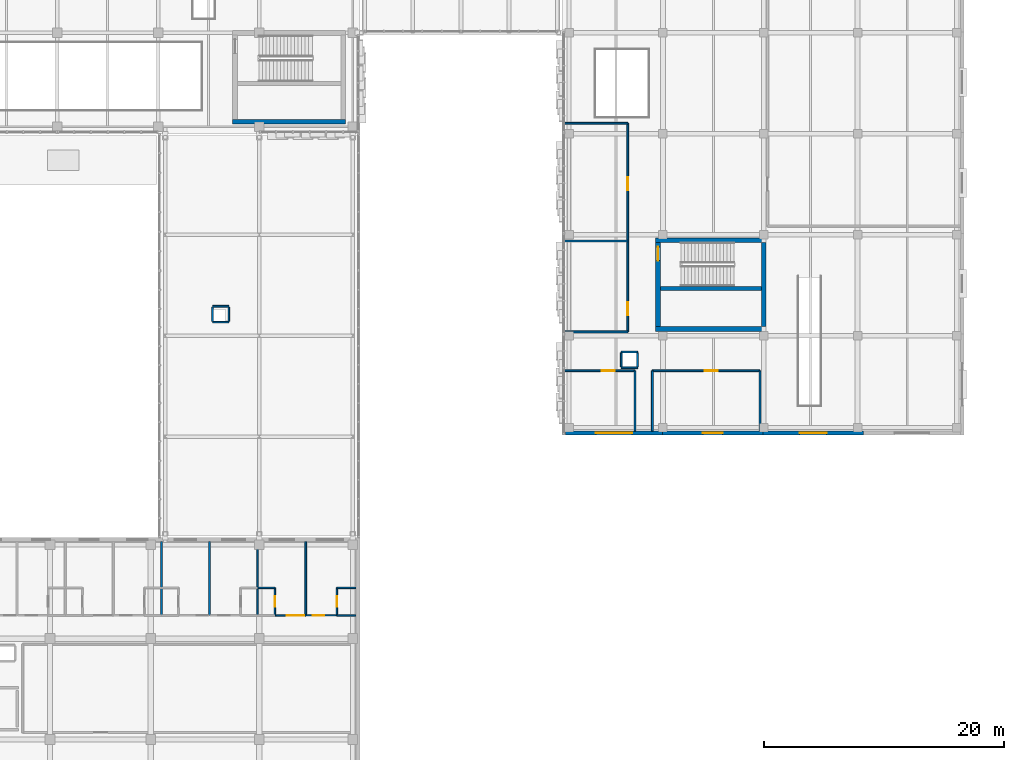
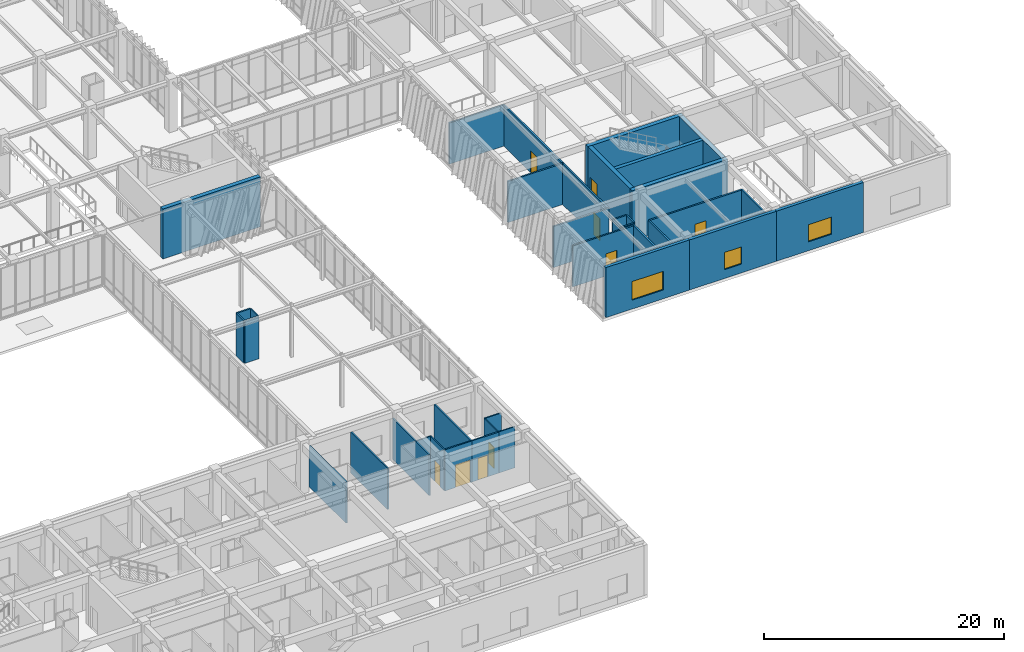
# One storey, part 110 of 139: 38 walls, 9 doors, 3 windows, 12 openings.
"""IFC4 building model written with IfcOpenShell, lengths in metres."""

import ifcopenshell
import ifcopenshell.guid

model = None  # the IFC model being written
_history = None  # IfcOwnerHistory: only IFC2X3 demands one
_inside = {}  # id of a spatial element -> (the spatial element, [elements in it])
_under = {}  # id of a project, library or spatial element -> (it, [spatial elements below it])
_declared = {}  # id of a project -> (the project, [libraries it declares])
_typed = {}  # id of a type object -> (the type object, [elements of that type])
_made_of = {}  # id of a material, layer set ... -> (it, [elements and type objects made of it])


def new_model(schema):
    """Start an empty IFC model of exactly this schema.

    Asked for "IFC4X3", IfcOpenShell would pick the latest addendum, in which some entities
    have other attributes; the version numbers below select the first issue.
    IFC2X3 requires an IfcOwnerHistory on every rooted entity: one is made here for all.
    """
    global model, _history
    if schema == "IFC4X3":
        model = ifcopenshell.file(schema_version=(4, 3, 0, 0))
    else:
        model = ifcopenshell.file(schema=schema)
    _inside.clear()
    _under.clear()
    _declared.clear()
    _typed.clear()
    _made_of.clear()
    _history = None
    if model.schema == "IFC2X3":
        org = make("IfcOrganization", Name="unknown")
        user = make(
            "IfcPersonAndOrganization",
            ThePerson=make("IfcPerson", FamilyName="unknown"),
            TheOrganization=org,
        )
        app = make(
            "IfcApplication",
            ApplicationDeveloper=org,
            Version="unknown",
            ApplicationFullName="unknown",
            ApplicationIdentifier="unknown",
        )
        _history = make(
            "IfcOwnerHistory",
            OwningUser=user,
            OwningApplication=app,
            ChangeAction="ADDED",
            CreationDate=0,
        )
    return model


def make(cls, **values):
    """One entity of the class cls with the attributes given. An attribute that is None is left unset."""
    return model.create_entity(
        cls, **{name: value for name, value in values.items() if value is not None}
    )


def rooted(cls, **values):
    """An entity with a GlobalId (a new one), such as an element, a storey or a relation."""
    return make(cls, GlobalId=ifcopenshell.guid.new(), OwnerHistory=_history, **values)


def si_unit(unit_type, name, prefix=None):
    """IfcSIUnit, for example si_unit("LENGTHUNIT", "METRE", prefix="MILLI")."""
    return make("IfcSIUnit", UnitType=unit_type, Prefix=prefix, Name=name)


def assignment(units):
    """IfcUnitAssignment: the units of a project."""
    return None if units is None else make("IfcUnitAssignment", Units=units)


def point(xyz):
    """IfcCartesianPoint."""
    return None if xyz is None else make("IfcCartesianPoint", Coordinates=xyz)


def direction(xyz):
    """IfcDirection."""
    return None if xyz is None else make("IfcDirection", DirectionRatios=xyz)


def frame(location, z_axis=None, x_axis=None):
    """IfcAxis2Placement3D, a coordinate frame: its origin and axes. An axis left out is left unset."""
    return make(
        "IfcAxis2Placement3D",
        Location=point(location),
        Axis=direction(z_axis),
        RefDirection=direction(x_axis),
    )


def frame_2d(location, x_axis=None):
    """IfcAxis2Placement2D, a coordinate frame in the plane: its origin and x axis."""
    return make(
        "IfcAxis2Placement2D", Location=point(location), RefDirection=direction(x_axis)
    )


def origin():
    """The frame at (0, 0, 0) with its axes left unset."""
    return frame((0.0, 0.0, 0.0))


def place(relative_to, where):
    """IfcLocalPlacement: puts the frame where relative to a parent placement (None: the world)."""
    return make(
        "IfcLocalPlacement", PlacementRelTo=relative_to, RelativePlacement=where
    )


def context(
    kind, dimensions, precision=None, world=None, true_north=None, identifier=None
):
    """IfcGeometricRepresentationContext, for example the 3D "Model" context."""
    return make(
        "IfcGeometricRepresentationContext",
        ContextIdentifier=identifier,
        ContextType=kind,
        CoordinateSpaceDimension=dimensions,
        Precision=precision,
        WorldCoordinateSystem=world,
        TrueNorth=true_north,
    )


def subcontext(parent, identifier, kind, view, scale=None):
    """IfcGeometricRepresentationSubContext, for example "Body" below "Model"."""
    return make(
        "IfcGeometricRepresentationSubContext",
        ContextIdentifier=identifier,
        ContextType=kind,
        ParentContext=parent,
        TargetScale=scale,
        TargetView=view,
    )


def project(units=None, contexts=None):
    """IfcProject with its units and contexts."""
    return rooted(
        "IfcProject",
        Name="project",
        RepresentationContexts=contexts,
        UnitsInContext=assignment(units),
    )


def spatial(cls, under=None, at=None, **own):
    """A site, building, storey or space (cls), placed at a placement, below another one or the project."""
    s = rooted(cls, ObjectPlacement=at, **own)
    if under is not None:
        _under.setdefault(under.id(), (under, []))[1].append(s)
    return s


def profile(cls, at=None, kind="AREA", **sizes):
    """A parametric profile (cls). Its sizes go by their IFC names, for example OverallWidth=200.0."""
    return make(cls, ProfileType=kind, Position=at, **sizes)


def rectangle(**sizes):
    """IfcRectangleProfileDef."""
    return profile("IfcRectangleProfileDef", **sizes)


def extrude(swept, where, along, depth):
    """IfcExtrudedAreaSolid: the profile swept, set in the frame where, extruded along a direction by depth."""
    return make(
        "IfcExtrudedAreaSolid",
        SweptArea=swept,
        Position=where,
        ExtrudedDirection=direction(along),
        Depth=depth,
    )


def shape(context_of_items, identifier, shape_type, items):
    """IfcShapeRepresentation: the items that make up one representation, for example the "Body"."""
    return make(
        "IfcShapeRepresentation",
        ContextOfItems=context_of_items,
        RepresentationIdentifier=identifier,
        RepresentationType=shape_type,
        Items=items,
    )


def material(Name=None, Category=None):
    """IfcMaterial."""
    return make("IfcMaterial", Name=Name, Category=Category)


def layer(
    of_material, thickness, ventilated=None, Name=None, Category=None, Priority=None
):
    """IfcMaterialLayer: one layer of a wall or slab, of a material (None: an air gap)."""
    return make(
        "IfcMaterialLayer",
        Material=of_material,
        LayerThickness=thickness,
        IsVentilated=ventilated,
        Name=Name,
        Category=Category,
        Priority=Priority,
    )


def layer_set(layers, Name=None):
    """IfcMaterialLayerSet."""
    return make("IfcMaterialLayerSet", MaterialLayers=layers, LayerSetName=Name)


def made_of(thing, what):
    """Note that an element or type object is made of a material, layer set ...; save() writes the relation."""
    if what is not None:
        _made_of.setdefault(what.id(), (what, []))[1].append(thing)
    return thing


def type_object(cls, material=None, **own):
    """A type object (cls), such as IfcWallType, which elements share."""
    return made_of(rooted(cls, **own), material)


def element(
    cls,
    number,
    at=None,
    inside=None,
    cuts=None,
    type_object=None,
    material=None,
    context=None,
    identifier="Body",
    shape_type=None,
    held_by="IfcProductDefinitionShape",
    body=None,
    shapes=None,
    **own,
):
    """One element of the class cls, such as IfcWall. Its Tag is "e" and its number.

    at: its placement. inside: the storey or other place that contains it. cuts: it is an
    opening in that element (IfcRelVoidsElement). A single representation is given by context,
    identifier, shape_type and body (its items); several are given by shapes. held_by: the class
    of the entity that holds the representations. save() writes the other relations.
    """
    e = rooted(cls, Tag="e%d" % number, ObjectPlacement=at, **own)
    if body is not None:
        shapes = [shape(context, identifier, shape_type, body)]
    if shapes is not None:
        e.Representation = make(held_by, Representations=shapes)
    if inside is not None:
        _inside.setdefault(inside.id(), (inside, []))[1].append(e)
    if cuts is not None:
        rooted(
            "IfcRelVoidsElement", RelatingBuildingElement=cuts, RelatedOpeningElement=e
        )
    if type_object is not None:
        _typed.setdefault(type_object.id(), (type_object, []))[1].append(e)
    return made_of(e, material)


def fill(opening, filler):
    """IfcRelFillsElement: the door or window that sits in an opening."""
    return rooted(
        "IfcRelFillsElement",
        RelatingOpeningElement=opening,
        RelatedBuildingElement=filler,
    )


def aggregate(whole, parts):
    """IfcRelAggregates: a whole, such as a stair, and the parts it consists of."""
    return rooted("IfcRelAggregates", RelatingObject=whole, RelatedObjects=parts)


def save(model, path):
    """Write the relations noted so far, then the file.

    IfcRelAggregates (storeys below a building ...), IfcRelContainedInSpatialStructure (elements
    in a storey), IfcRelDefinesByType, IfcRelAssociatesMaterial and IfcRelDeclares: one each for
    every whole, place, type object, material and project.
    """
    for whole, parts in _under.values():
        aggregate(whole, parts)
    for where, things in _inside.values():
        rooted(
            "IfcRelContainedInSpatialStructure",
            RelatedElements=things,
            RelatingStructure=where,
        )
    for kind, things in _typed.values():
        rooted("IfcRelDefinesByType", RelatedObjects=things, RelatingType=kind)
    for what, things in _made_of.values():
        rooted("IfcRelAssociatesMaterial", RelatedObjects=things, RelatingMaterial=what)
    for by, libraries in _declared.values():
        rooted("IfcRelDeclares", RelatingContext=by, RelatedDefinitions=libraries)
    model.write(path)


model = new_model("IFC4")

# Units and contexts
model_context = context("Model", 3, precision=1e-05, world=origin(), true_north=direction((0.0, 1.0)))
body_context = subcontext(model_context, "Body", "Model", "MODEL_VIEW")
ifc_project = project(units=[si_unit("LENGTHUNIT", "METRE"), si_unit("AREAUNIT", "SQUARE_METRE"), si_unit("VOLUMEUNIT", "CUBIC_METRE"), si_unit("PLANEANGLEUNIT", "RADIAN"), si_unit("MASSUNIT", "GRAM", prefix="KILO")], contexts=[model_context])

# Site, building, storey
site_placement = place(None, origin())
site = spatial("IfcSite", under=ifc_project, at=site_placement, CompositionType="ELEMENT")
building_placement = place(site_placement, origin())
building = spatial("IfcBuilding", under=site, at=building_placement, Name="Zayran Congress Hotel", CompositionType="ELEMENT")
storey_placement = place(building_placement, frame((0.0, 0.0, 5.39990234375)))
storey = spatial("IfcBuildingStorey", under=building, at=storey_placement, Name="L01", CompositionType="ELEMENT", Elevation=5.39990234375)

# Wall, opening, window
ifc_material_1 = material(Name="Ajlun white limestone and insulated concrete C32/40", Category="masonry")
ifc_layer_1 = layer(ifc_material_1, 0.300048828125)
ifc_layer_set_1 = layer_set([ifc_layer_1], Name="Ajlun white limestone and insulated concrete C32/40")
wall_type_1 = type_object("IfcWallType", Name="WL-EX-300", PredefinedType="SOLIDWALL", material=ifc_layer_set_1)
wall_1_placement = place(storey_placement, frame((117.56201171875, 42.699951171875, 0.0), z_axis=(0.0, 0.0, 1.0), x_axis=(-1.0, 0.0, 0.0)))
wall_1 = element("IfcWall", 1, at=wall_1_placement, inside=storey, type_object=wall_type_1, Name="EW-V4-S-L01-0", PredefinedType="SOLIDWALL", context=body_context, shape_type="SweptSolid", body=[
    extrude(rectangle(XDim=8.06201171875, YDim=0.300048828125, at=frame_2d((4.031005859375, 0.0))), origin(), (0.0, 0.0, 1.0), 5.10009765625),
])
opening_1_placement = place(wall_1_placement, frame((2.531005859375, 0.0, 0.89990234375)))
opening_1 = element("IfcOpeningElement", 2, at=opening_1_placement, cuts=wall_1, Name="Opening WN-05", PredefinedType="OPENING", context=body_context, shape_type="SweptSolid", body=[
    extrude(rectangle(XDim=3.0, YDim=1.89990234375, at=frame_2d((1.5, 0.949951171875))), frame((0.0, 0.159912109375, 0.0), z_axis=(0.0, -1.0, 0.0), x_axis=(1.0, 0.0, 0.0)), (0.0, 0.0, 1.0), 0.320068359375),
])
ifc_material_2 = material(Name="Anodised aluminium and low-E insulated glass", Category="aluminium")
window_type_1 = type_object("IfcWindowType", Name="TP-WN-05", PartitioningType="TRIPLE_PANEL_VERTICAL", PredefinedType="WINDOW", material=ifc_material_2)
window_1_placement = place(opening_1_placement, origin())
window_1 = element("IfcWindow", 3, at=window_1_placement, inside=storey, type_object=window_type_1, Name="WIN-V4-0117", OverallHeight=1.89990234375, OverallWidth=3.0, PartitioningType="SINGLE_PANEL", PredefinedType="WINDOW", context=body_context, shape_type="SweptSolid", body=[
    extrude(rectangle(XDim=3.0, YDim=1.89990234375, at=frame_2d((1.5, 0.949951171875))), frame((0.0, 0.030029296875, 0.0), z_axis=(0.0, -1.0, 0.0), x_axis=(1.0, 0.0, 0.0)), (0.0, 0.0, 1.0), 0.06005859375),
])
fill(opening_1, window_1)

wall_2_placement = place(storey_placement, frame((125.925048828125, 42.699951171875, 0.0), z_axis=(0.0, 0.0, 1.0), x_axis=(-1.0, 0.0, 0.0)))
wall_2 = element("IfcWall", 4, at=wall_2_placement, inside=storey, type_object=wall_type_1, Name="EW-V4-S-L01-1", PredefinedType="SOLIDWALL", context=body_context, shape_type="SweptSolid", body=[
    extrude(rectangle(XDim=8.363037109375, YDim=0.300048828125, at=frame_2d((4.181640625, 0.0))), origin(), (0.0, 0.0, 1.0), 5.10009765625),
])
opening_2_placement = place(wall_2_placement, frame((3.35595703125, 0.0, 0.89990234375)))
opening_2 = element("IfcOpeningElement", 5, at=opening_2_placement, cuts=wall_2, Name="Opening WN-07", PredefinedType="OPENING", context=body_context, shape_type="SweptSolid", body=[
    extrude(rectangle(XDim=1.64990234375, YDim=1.75, at=frame_2d((0.824951171875, 0.875))), frame((0.0, 0.159912109375, 0.0), z_axis=(0.0, -1.0, 0.0), x_axis=(1.0, 0.0, 0.0)), (0.0, 0.0, 1.0), 0.320068359375),
])
window_type_2 = type_object("IfcWindowType", Name="TP-WN-07", PartitioningType="SINGLE_PANEL", PredefinedType="WINDOW", material=ifc_material_2)
window_2_placement = place(opening_2_placement, origin())
window_2 = element("IfcWindow", 6, at=window_2_placement, inside=storey, type_object=window_type_2, Name="WIN-V4-0119", OverallHeight=1.75, OverallWidth=1.64990234375, PartitioningType="SINGLE_PANEL", PredefinedType="WINDOW", context=body_context, shape_type="SweptSolid", body=[
    extrude(rectangle(XDim=1.64990234375, YDim=1.75, at=frame_2d((0.824951171875, 0.875))), frame((0.0, 0.030029296875, 0.0), z_axis=(0.0, -1.0, 0.0), x_axis=(1.0, 0.0, 0.0)), (0.0, 0.0, 1.0), 0.06005859375),
])
fill(opening_2, window_2)

wall_3_placement = place(storey_placement, frame((134.287109375, 42.699951171875, 0.0), z_axis=(0.0, 0.0, 1.0), x_axis=(-1.0, 0.0, 0.0)))
wall_3 = element("IfcWall", 7, at=wall_3_placement, inside=storey, type_object=wall_type_1, Name="EW-V4-S-L01-2", PredefinedType="SOLIDWALL", context=body_context, shape_type="SweptSolid", body=[
    extrude(rectangle(XDim=8.362060546875, YDim=0.300048828125, at=frame_2d((4.18115234375, 0.0))), origin(), (0.0, 0.0, 1.0), 5.10009765625),
])
opening_3_placement = place(wall_3_placement, frame((3.055908203125, 0.0, 0.89990234375)))
opening_3 = element("IfcOpeningElement", 8, at=opening_3_placement, cuts=wall_3, Name="Opening WN-09", PredefinedType="OPENING", context=body_context, shape_type="SweptSolid", body=[
    extrude(rectangle(XDim=2.25, YDim=1.75, at=frame_2d((1.125, 0.875))), frame((0.0, 0.159912109375, 0.0), z_axis=(0.0, -1.0, 0.0), x_axis=(1.0, 0.0, 0.0)), (0.0, 0.0, 1.0), 0.320068359375),
])
window_type_3 = type_object("IfcWindowType", Name="TP-WN-09", PartitioningType="DOUBLE_PANEL_VERTICAL", PredefinedType="WINDOW", material=ifc_material_2)
window_3_placement = place(opening_3_placement, origin())
window_3 = element("IfcWindow", 9, at=window_3_placement, inside=storey, type_object=window_type_3, Name="WIN-V4-0121", OverallHeight=1.75, OverallWidth=2.25, PartitioningType="SINGLE_PANEL", PredefinedType="WINDOW", context=body_context, shape_type="SweptSolid", body=[
    extrude(rectangle(XDim=2.25, YDim=1.75, at=frame_2d((1.125, 0.875))), frame((0.0, 0.030029296875, 0.0), z_axis=(0.0, -1.0, 0.0), x_axis=(1.0, 0.0, 0.0)), (0.0, 0.0, 1.0), 0.06005859375),
])
fill(opening_3, window_3)

# Walls
ifc_material_3 = material(Name="Concrete C40/50", Category="concrete")
ifc_layer_2 = layer(ifc_material_3, 0.39990234375)
ifc_layer_set_2 = layer_set([ifc_layer_2], Name="Concrete C40/50")
wall_type_2 = type_object("IfcWallType", Name="WL-SH-400", PredefinedType="SHEAR", material=ifc_layer_set_2)
wall_4_placement = place(storey_placement, frame((81.800048828125, 68.60009765625, 0.0), z_axis=(0.0, 0.0, 1.0), x_axis=(1.0, 0.0, 0.0)))
element("IfcWall", 10, at=wall_4_placement, inside=storey, type_object=wall_type_2, Name="CWALL-C-V1F-L01-S", PredefinedType="SHEAR", context=body_context, shape_type="SweptSolid", body=[
    extrude(rectangle(XDim=9.39990234375, YDim=0.39990234375, at=frame_2d((4.699951171875, 0.0))), origin(), (0.0, 0.0, 1.0), 5.080078125),
])
for number, where, z_axis, x_axis, name in (
    (11, (117.0, 51.35009765625, 0.0), (0.0, 0.0, 1.0), (1.0, 0.0, 0.0), "CWALL-C-V4S-L01-S"),
    (12, (126.199951171875, 58.735107421875, 0.0), (0.0, 0.0, 1.0), (-1.0, 0.0, 0.0), "CWALL-C-V4S-L01-N"),
):
    element("IfcWall", number, at=place(storey_placement, frame(where, z_axis=z_axis, x_axis=x_axis)), inside=storey, type_object=wall_type_2, Name=name, PredefinedType="SHEAR", context=body_context, shape_type="SweptSolid", body=[
        extrude(rectangle(XDim=9.199951171875, YDim=0.39990234375, at=frame_2d((4.60009765625, 0.0))), origin(), (0.0, 0.0, 1.0), 5.080078125),
    ])

# Wall, opening, door
wall_5_placement = place(storey_placement, frame((117.199951171875, 58.550048828125, 0.0), z_axis=(0.0, 0.0, 1.0), x_axis=(0.0, -1.0, 0.0)))
wall_5 = element("IfcWall", 13, at=wall_5_placement, inside=storey, type_object=wall_type_2, Name="CWALL-C-V4S-L01-W", PredefinedType="SHEAR", context=body_context, shape_type="SweptSolid", body=[
    extrude(rectangle(XDim=7.0, YDim=0.39990234375, at=frame_2d((3.5, 0.0))), origin(), (0.0, 0.0, 1.0), 5.080078125),
])
opening_4_placement = place(wall_5_placement, frame((0.35009765625, 0.0, 0.0)))
opening_4 = element("IfcOpeningElement", 14, at=opening_4_placement, cuts=wall_5, Name="Opening DR-FD-90", PredefinedType="OPENING", context=body_context, shape_type="SweptSolid", body=[
    extrude(rectangle(XDim=1.14990234375, YDim=2.199951171875, at=frame_2d((0.574951171875, 1.10009765625))), frame((0.0, 0.2099609375, 0.0), z_axis=(0.0, -1.0, 0.0), x_axis=(1.0, 0.0, 0.0)), (0.0, 0.0, 1.0), 0.419921875),
])
ifc_material_4 = material(Name="Painted steel fire door assembly", Category="steel")
door_type_1 = type_object("IfcDoorType", Name="TP-DR-FD-90", OperationType="NOTDEFINED", PredefinedType="DOOR", material=ifc_material_4)
door_1_placement = place(opening_4_placement, origin())
door_1 = element("IfcDoor", 15, at=door_1_placement, inside=storey, type_object=door_type_1, Name="ST-08 Exit Stair Door L01", OperationType="SINGLE_SWING_RIGHT", OverallHeight=2.199951171875, OverallWidth=1.14990234375, PredefinedType="DOOR", context=body_context, shape_type="SweptSolid", body=[
    extrude(rectangle(XDim=1.14990234375, YDim=2.199951171875, at=frame_2d((0.574951171875, 1.10009765625))), frame((0.0, 0.02490234375, 0.0), z_axis=(0.0, -1.0, 0.0), x_axis=(1.0, 0.0, 0.0)), (0.0, 0.0, 1.0), 0.050048828125),
])
fill(opening_4, door_1)

# Walls
wall_6_placement = place(storey_placement, frame((126.0, 51.550048828125, 0.0), z_axis=(0.0, 0.0, 1.0), x_axis=(0.0, 1.0, 0.0)))
element("IfcWall", 16, at=wall_6_placement, inside=storey, type_object=wall_type_2, Name="CWALL-C-V4S-L01-E", PredefinedType="SHEAR", context=body_context, shape_type="SweptSolid", body=[
    extrude(rectangle(XDim=7.0, YDim=0.39990234375, at=frame_2d((3.5, 0.0))), origin(), (0.0, 0.0, 1.0), 5.080078125),
])
ifc_layer_3 = layer(ifc_material_3, 0.35009765625)
ifc_layer_set_3 = layer_set([ifc_layer_3], Name="Concrete C40/50")
wall_type_3 = type_object("IfcWallType", Name="WL-SH-350", PredefinedType="SHEAR", material=ifc_layer_set_3)
wall_7_placement = place(storey_placement, frame((117.39990234375, 54.735107421875, 0.0), z_axis=(0.0, 0.0, 1.0), x_axis=(1.0, 0.0, 0.0)))
element("IfcWall", 17, at=wall_7_placement, inside=storey, type_object=wall_type_3, Name="CWALL-C-V4S-L01-SPN", PredefinedType="SHEAR", context=body_context, shape_type="SweptSolid", body=[
    extrude(rectangle(XDim=8.400146484375, YDim=0.35009765625, at=frame_2d((4.2001953125, 0.0))), origin(), (0.0, 0.0, 1.0), 5.080078125),
])

# Wall, opening, door
ifc_material_5 = material(Name="Acoustic twin-stud gypsum partition", Category="gypsum")
ifc_layer_4 = layer(ifc_material_5, 0.159912109375)
ifc_layer_set_4 = layer_set([ifc_layer_4], Name="Acoustic twin-stud gypsum partition")
wall_type_4 = type_object("IfcWallType", Name="WL-PT-160", PredefinedType="PARTITIONING", material=ifc_layer_set_4)
wall_8_placement = place(storey_placement, frame((109.360107421875, 47.8798828125, 0.0), z_axis=(0.0, 0.0, 1.0), x_axis=(1.0, 0.0, 0.0)))
wall_8 = element("IfcWall", 18, at=wall_8_placement, inside=storey, type_object=wall_type_4, Name="IW-L01-0436", PredefinedType="PARTITIONING", context=body_context, shape_type="SweptSolid", body=[
    extrude(rectangle(XDim=5.919921875, YDim=0.159912109375, at=frame_2d((2.9599609375, 0.0))), origin(), (0.0, 0.0, 1.0), 4.18017578125),
])
opening_5_placement = place(wall_8_placement, frame((3.159912109375, 0.0, 0.0)))
opening_5 = element("IfcOpeningElement", 19, at=opening_5_placement, cuts=wall_8, Name="Opening DR-MT-01", PredefinedType="OPENING", context=body_context, shape_type="SweptSolid", body=[
    extrude(rectangle(XDim=1.080078125, YDim=2.25, at=frame_2d((0.5400390625, 1.125))), frame((0.0, 0.08984375, 0.0), z_axis=(0.0, -1.0, 0.0), x_axis=(1.0, 0.0, 0.0)), (0.0, 0.0, 1.0), 0.179931640625),
])
ifc_material_6 = material(Name="Acoustic timber seminar room door", Category="wood")
door_type_2 = type_object("IfcDoorType", Name="TP-DR-MT-01", OperationType="NOTDEFINED", PredefinedType="DOOR", material=ifc_material_6)
door_2_placement = place(opening_5_placement, origin())
door_2 = element("IfcDoor", 20, at=door_2_placement, inside=storey, type_object=door_type_2, Name="Meeting Room L01-01 Door", OperationType="SINGLE_SWING_RIGHT", OverallHeight=2.25, OverallWidth=1.080078125, PredefinedType="DOOR", context=body_context, shape_type="SweptSolid", body=[
    extrude(rectangle(XDim=1.080078125, YDim=2.25, at=frame_2d((0.5400390625, 1.125))), frame((0.0, 0.02490234375, 0.0), z_axis=(0.0, -1.0, 0.0), x_axis=(1.0, 0.0, 0.0)), (0.0, 0.0, 1.0), 0.050048828125),
])
fill(opening_5, door_2)

wall_9_placement = place(storey_placement, frame((114.679931640625, 51.1201171875, 0.0), z_axis=(0.0, 0.0, 1.0), x_axis=(0.0, 1.0, 0.0)))
wall_9 = element("IfcWall", 21, at=wall_9_placement, inside=storey, type_object=wall_type_4, Name="IW-L01-0437", PredefinedType="PARTITIONING", context=body_context, shape_type="SweptSolid", body=[
    extrude(rectangle(XDim=7.559814453125, YDim=0.159912109375, at=frame_2d((3.77978515625, 0.0))), origin(), (0.0, 0.0, 1.0), 4.18017578125),
])
opening_6_placement = place(wall_9_placement, frame((1.3798828125, 0.0, 0.0)))
opening_6 = element("IfcOpeningElement", 22, at=opening_6_placement, cuts=wall_9, Name="Opening DR-MT-01", PredefinedType="OPENING", context=body_context, shape_type="SweptSolid", body=[
    extrude(rectangle(XDim=1.080078125, YDim=2.25, at=frame_2d((0.5400390625, 1.125))), frame((0.0, 0.08984375, 0.0), z_axis=(0.0, -1.0, 0.0), x_axis=(1.0, 0.0, 0.0)), (0.0, 0.0, 1.0), 0.179931640625),
])
door_3_placement = place(opening_6_placement, origin())
door_3 = element("IfcDoor", 23, at=door_3_placement, inside=storey, type_object=door_type_2, Name="Meeting Room L01-02 Door", OperationType="SINGLE_SWING_LEFT", OverallHeight=2.25, OverallWidth=1.080078125, PredefinedType="DOOR", context=body_context, shape_type="SweptSolid", body=[
    extrude(rectangle(XDim=1.080078125, YDim=2.25, at=frame_2d((0.5400390625, 1.125))), frame((0.0, 0.02490234375, 0.0), z_axis=(0.0, -1.0, 0.0), x_axis=(1.0, 0.0, 0.0)), (0.0, 0.0, 1.0), 0.050048828125),
])
fill(opening_6, door_3)

wall_10_placement = place(storey_placement, frame((114.679931640625, 58.719970703125, 0.0), z_axis=(0.0, 0.0, 1.0), x_axis=(0.0, 1.0, 0.0)))
wall_10 = element("IfcWall", 24, at=wall_10_placement, inside=storey, type_object=wall_type_4, Name="IW-L01-0438", PredefinedType="PARTITIONING", context=body_context, shape_type="SweptSolid", body=[
    extrude(rectangle(XDim=9.760009765625, YDim=0.159912109375, at=frame_2d((4.8798828125, 0.0))), origin(), (0.0, 0.0, 1.0), 4.18017578125),
])
opening_7_placement = place(wall_10_placement, frame((4.174072265625, 0.0, 0.0)))
opening_7 = element("IfcOpeningElement", 25, at=opening_7_placement, cuts=wall_10, Name="Opening DR-MT-01", PredefinedType="OPENING", context=body_context, shape_type="SweptSolid", body=[
    extrude(rectangle(XDim=1.080078125, YDim=2.25, at=frame_2d((0.5400390625, 1.125))), frame((0.0, 0.08984375, 0.0), z_axis=(0.0, -1.0, 0.0), x_axis=(1.0, 0.0, 0.0)), (0.0, 0.0, 1.0), 0.179931640625),
])
door_4_placement = place(opening_7_placement, origin())
door_4 = element("IfcDoor", 26, at=door_4_placement, inside=storey, type_object=door_type_2, Name="Meeting Room L01-03 Door", OperationType="SINGLE_SWING_RIGHT", OverallHeight=2.25, OverallWidth=1.080078125, PredefinedType="DOOR", context=body_context, shape_type="SweptSolid", body=[
    extrude(rectangle(XDim=1.080078125, YDim=2.25, at=frame_2d((0.5400390625, 1.125))), frame((0.0, 0.02490234375, 0.0), z_axis=(0.0, -1.0, 0.0), x_axis=(1.0, 0.0, 0.0)), (0.0, 0.0, 1.0), 0.050048828125),
])
fill(opening_7, door_4)

wall_11_placement = place(storey_placement, frame((116.719970703125, 47.8798828125, 0.0), z_axis=(0.0, 0.0, 1.0), x_axis=(1.0, 0.0, 0.0)))
wall_11 = element("IfcWall", 27, at=wall_11_placement, inside=storey, type_object=wall_type_4, Name="IW-L01-0439", PredefinedType="PARTITIONING", context=body_context, shape_type="SweptSolid", body=[
    extrude(rectangle(XDim=8.9599609375, YDim=0.159912109375, at=frame_2d((4.47998046875, 0.0))), origin(), (0.0, 0.0, 1.0), 4.18017578125),
])
opening_8_placement = place(wall_11_placement, frame((4.3798828125, 0.0, 0.0)))
opening_8 = element("IfcOpeningElement", 28, at=opening_8_placement, cuts=wall_11, Name="Opening DR-MT-01", PredefinedType="OPENING", context=body_context, shape_type="SweptSolid", body=[
    extrude(rectangle(XDim=1.080078125, YDim=2.25, at=frame_2d((0.5400390625, 1.125))), frame((0.0, 0.08984375, 0.0), z_axis=(0.0, -1.0, 0.0), x_axis=(1.0, 0.0, 0.0)), (0.0, 0.0, 1.0), 0.179931640625),
])
door_5_placement = place(opening_8_placement, origin())
door_5 = element("IfcDoor", 29, at=door_5_placement, inside=storey, type_object=door_type_2, Name="Meeting Room L01-04 Door", OperationType="SINGLE_SWING_LEFT", OverallHeight=2.25, OverallWidth=1.080078125, PredefinedType="DOOR", context=body_context, shape_type="SweptSolid", body=[
    extrude(rectangle(XDim=1.080078125, YDim=2.25, at=frame_2d((0.5400390625, 1.125))), frame((0.0, 0.02490234375, 0.0), z_axis=(0.0, -1.0, 0.0), x_axis=(1.0, 0.0, 0.0)), (0.0, 0.0, 1.0), 0.050048828125),
])
fill(opening_8, door_5)

# Walls
wall_12_placement = place(storey_placement, frame((115.280029296875, 42.85009765625, 0.0), z_axis=(0.0, 0.0, 1.0), x_axis=(0.0, 1.0, 0.0)))
element("IfcWall", 30, at=wall_12_placement, inside=storey, type_object=wall_type_4, Name="IW-L01-1722", PredefinedType="PARTITIONING", context=body_context, shape_type="SweptSolid", body=[
    extrude(rectangle(XDim=5.02978515625, YDim=0.159912109375, at=frame_2d((2.514892578125, 0.0))), origin(), (0.0, 0.0, 1.0), 4.18017578125),
])
for number, where, z_axis, x_axis, name in (
    (31, (109.360107421875, 51.1201171875, 0.0), (0.0, 0.0, 1.0), (1.0, 0.0, 0.0), "IW-L01-1723"),
    (32, (109.360107421875, 58.679931640625, 0.0), (0.0, 0.0, 1.0), (1.0, 0.0, 0.0), "IW-L01-1724"),
    (33, (109.360107421875, 68.47998046875, 0.0), (0.0, 0.0, 1.0), (1.0, 0.0, 0.0), "IW-L01-1725"),
):
    element("IfcWall", number, at=place(storey_placement, frame(where, z_axis=z_axis, x_axis=x_axis)), inside=storey, type_object=wall_type_4, Name=name, PredefinedType="PARTITIONING", context=body_context, shape_type="SweptSolid", body=[
        extrude(rectangle(XDim=5.31982421875, YDim=0.159912109375, at=frame_2d((2.659912109375, 0.0))), origin(), (0.0, 0.0, 1.0), 4.18017578125),
    ])
for number, where, z_axis, x_axis, name in (
    (34, (116.719970703125, 42.85009765625, 0.0), (0.0, 0.0, 1.0), (0.0, 1.0, 0.0), "IW-L01-1726"),
    (35, (125.679931640625, 42.85009765625, 0.0), (0.0, 0.0, 1.0), (0.0, 1.0, 0.0), "IW-L01-1727"),
):
    element("IfcWall", number, at=place(storey_placement, frame(where, z_axis=z_axis, x_axis=x_axis)), inside=storey, type_object=wall_type_4, Name=name, PredefinedType="PARTITIONING", context=body_context, shape_type="SweptSolid", body=[
        extrude(rectangle(XDim=5.02978515625, YDim=0.159912109375, at=frame_2d((2.514892578125, 0.0))), origin(), (0.0, 0.0, 1.0), 4.18017578125),
    ])

# Wall, opening, door
ifc_material_7 = material(Name="Hospitality guestroom acoustic partition", Category="gypsum")
ifc_layer_5 = layer(ifc_material_7, 0.139892578125)
ifc_layer_set_5 = layer_set([ifc_layer_5], Name="Hospitality guestroom acoustic partition")
wall_type_5 = type_object("IfcWallType", Name="WL-PT-140", PredefinedType="PARTITIONING", material=ifc_layer_set_5)
wall_13_placement = place(storey_placement, frame((85.31103515625, 27.530029296875, 0.0), z_axis=(0.0, 0.0, 1.0), x_axis=(1.0, 0.0, 0.0)))
wall_13 = element("IfcWall", 36, at=wall_13_placement, inside=storey, type_object=wall_type_5, Name="IW-L01-0484", PredefinedType="PARTITIONING", context=body_context, shape_type="SweptSolid", body=[
    extrude(rectangle(XDim=2.574951171875, YDim=0.139892578125, at=frame_2d((1.28759765625, 0.0))), origin(), (0.0, 0.0, 1.0), 4.18017578125),
])
opening_9_placement = place(wall_13_placement, frame((0.985107421875, 0.0, 0.0)))
opening_9 = element("IfcOpeningElement", 37, at=opening_9_placement, cuts=wall_13, Name="Opening DR-ST-01", PredefinedType="OPENING", context=body_context, shape_type="SweptSolid", body=[
    extrude(rectangle(XDim=1.449951171875, YDim=2.300048828125, at=frame_2d((0.72509765625, 1.14990234375))), frame((0.0, 0.079833984375, 0.0), z_axis=(0.0, -1.0, 0.0), x_axis=(1.0, 0.0, 0.0)), (0.0, 0.0, 1.0), 0.159912109375),
])
ifc_material_8 = material(Name="Double walnut veneer suite entry door", Category="wood")
door_type_3 = type_object("IfcDoorType", Name="TP-DR-ST-01", OperationType="DOUBLE_DOOR_SINGLE_SWING", PredefinedType="DOOR", material=ifc_material_8)
door_6_placement = place(opening_9_placement, origin())
door_6 = element("IfcDoor", 38, at=door_6_placement, inside=storey, type_object=door_type_3, Name="Executive Suite L01-35 Door", OperationType="DOUBLE_DOOR_SINGLE_SWING", OverallHeight=2.300048828125, OverallWidth=1.449951171875, PredefinedType="DOOR", context=body_context, shape_type="SweptSolid", body=[
    extrude(rectangle(XDim=1.449951171875, YDim=2.300048828125, at=frame_2d((0.72509765625, 1.14990234375))), frame((0.0, 0.02490234375, 0.0), z_axis=(0.0, -1.0, 0.0), x_axis=(1.0, 0.0, 0.0)), (0.0, 0.0, 1.0), 0.050048828125),
])
fill(opening_9, door_6)

wall_14_placement = place(storey_placement, frame((87.906005859375, 27.530029296875, 0.0), z_axis=(0.0, 0.0, 1.0), x_axis=(1.0, 0.0, 0.0)))
wall_14 = element("IfcWall", 39, at=wall_14_placement, inside=storey, type_object=wall_type_5, Name="IW-L01-0485", PredefinedType="PARTITIONING", context=body_context, shape_type="SweptSolid", body=[
    extrude(rectangle(XDim=2.574951171875, YDim=0.139892578125, at=frame_2d((1.28759765625, 0.0))), origin(), (0.0, 0.0, 1.0), 4.18017578125),
])
opening_10_placement = place(wall_14_placement, frame((0.575927734375, 0.0, 0.0)))
opening_10 = element("IfcOpeningElement", 40, at=opening_10_placement, cuts=wall_14, Name="Opening DR-GR-01", PredefinedType="OPENING", context=body_context, shape_type="SweptSolid", body=[
    extrude(rectangle(XDim=0.93994140625, YDim=2.199951171875, at=frame_2d((0.469970703125, 1.10009765625))), frame((0.0, 0.079833984375, 0.0), z_axis=(0.0, -1.0, 0.0), x_axis=(1.0, 0.0, 0.0)), (0.0, 0.0, 1.0), 0.159912109375),
])
ifc_material_9 = material(Name="Acoustic walnut veneer fire-rated entry door", Category="wood")
door_type_4 = type_object("IfcDoorType", Name="TP-DR-GR-01", OperationType="NOTDEFINED", PredefinedType="DOOR", material=ifc_material_9)
door_7_placement = place(opening_10_placement, origin())
door_7 = element("IfcDoor", 41, at=door_7_placement, inside=storey, type_object=door_type_4, Name="Guest Room L01-36 Door", OperationType="SINGLE_SWING_RIGHT", OverallHeight=2.199951171875, OverallWidth=0.93994140625, PredefinedType="DOOR", context=body_context, shape_type="SweptSolid", body=[
    extrude(rectangle(XDim=0.93994140625, YDim=2.199951171875, at=frame_2d((0.469970703125, 1.10009765625))), frame((0.0, 0.02490234375, 0.0), z_axis=(0.0, -1.0, 0.0), x_axis=(1.0, 0.0, 0.0)), (0.0, 0.0, 1.0), 0.050048828125),
])
fill(opening_10, door_7)

# Walls
for number, where, z_axis, x_axis, name in (
    (42, (75.8740234375, 27.52001953125, 0.0), (0.0, 0.0, 1.0), (0.0, 1.0, 0.0), "IW-L01-1774"),
    (43, (79.8779296875, 27.52001953125, 0.0), (0.0, 0.0, 1.0), (0.0, 1.0, 0.0), "IW-L01-1775"),
    (44, (83.882080078125, 27.52001953125, 0.0), (0.0, 0.0, 1.0), (0.0, 1.0, 0.0), "IW-L01-1776"),
    (45, (87.885986328125, 27.52001953125, 0.0), (0.0, 0.0, 1.0), (0.0, 1.0, 0.0), "IW-L01-1777"),
):
    element("IfcWall", number, at=place(storey_placement, frame(where, z_axis=z_axis, x_axis=x_axis)), inside=storey, type_object=wall_type_5, Name=name, PredefinedType="PARTITIONING", context=body_context, shape_type="SweptSolid", body=[
        extrude(rectangle(XDim=6.139892578125, YDim=0.139892578125, at=frame_2d((3.06982421875, 0.0))), origin(), (0.0, 0.0, 1.0), 4.18017578125),
    ])
for number, where, z_axis, x_axis, name in (
    (46, (114.1298828125, 48.1298828125, 0.0), (0.0, 0.0, 1.0), (1.0, 0.0, 0.0), "RSWL-V4-L01-017-S"),
    (47, (115.489990234375, 49.449951171875, 0.0), (0.0, 0.0, 1.0), (-1.0, 0.0, 0.0), "RSWL-V4-L01-017-N"),
):
    element("IfcWall", number, at=place(storey_placement, frame(where, z_axis=z_axis, x_axis=x_axis)), inside=storey, type_object=wall_type_5, Name=name, PredefinedType="PARTITIONING", context=body_context, shape_type="SweptSolid", body=[
        extrude(rectangle(XDim=1.360107421875, YDim=0.139892578125, at=frame_2d((0.68017578125, 0.0))), origin(), (0.0, 0.0, 1.0), 4.2001953125),
    ])
for number, where, z_axis, x_axis, name in (
    (48, (114.1298828125, 49.3798828125, 0.0), (0.0, 0.0, 1.0), (0.0, -1.0, 0.0), "RSWL-V4-L01-017-W"),
    (49, (115.489990234375, 48.199951171875, 0.0), (0.0, 0.0, 1.0), (0.0, 1.0, 0.0), "RSWL-V4-L01-017-E"),
):
    element("IfcWall", number, at=place(storey_placement, frame(where, z_axis=z_axis, x_axis=x_axis)), inside=storey, type_object=wall_type_5, Name=name, PredefinedType="PARTITIONING", context=body_context, shape_type="SweptSolid", body=[
        extrude(rectangle(XDim=1.179931640625, YDim=0.139892578125, at=frame_2d((0.58984375, 0.0))), origin(), (0.0, 0.0, 1.0), 4.2001953125),
    ])
for number, where, z_axis, x_axis, name in (
    (50, (80.1298828125, 51.929931640625, 0.0), (0.0, 0.0, 1.0), (1.0, 0.0, 0.0), "RSWL-BR2-L01-S"),
    (51, (81.489990234375, 53.25, 0.0), (0.0, 0.0, 1.0), (-1.0, 0.0, 0.0), "RSWL-BR2-L01-N"),
):
    element("IfcWall", number, at=place(storey_placement, frame(where, z_axis=z_axis, x_axis=x_axis)), inside=storey, type_object=wall_type_5, Name=name, PredefinedType="PARTITIONING", context=body_context, shape_type="SweptSolid", body=[
        extrude(rectangle(XDim=1.360107421875, YDim=0.139892578125, at=frame_2d((0.68017578125, 0.0))), origin(), (0.0, 0.0, 1.0), 4.300048828125),
    ])
for number, where, z_axis, x_axis, name in (
    (52, (80.1298828125, 53.179931640625, 0.0), (0.0, 0.0, 1.0), (0.0, -1.0, 0.0), "RSWL-BR2-L01-W"),
    (53, (81.489990234375, 52.0, 0.0), (0.0, 0.0, 1.0), (0.0, 1.0, 0.0), "RSWL-BR2-L01-E"),
):
    element("IfcWall", number, at=place(storey_placement, frame(where, z_axis=z_axis, x_axis=x_axis)), inside=storey, type_object=wall_type_5, Name=name, PredefinedType="PARTITIONING", context=body_context, shape_type="SweptSolid", body=[
        extrude(rectangle(XDim=1.179931640625, YDim=0.139892578125, at=frame_2d((0.58984375, 0.0))), origin(), (0.0, 0.0, 1.0), 4.300048828125),
    ])

# Wall, opening, door
ifc_material_10 = material(Name="Moisture-resistant bathroom partition", Category="gypsum")
ifc_layer_6 = layer(ifc_material_10, 0.1201171875)
ifc_layer_set_6 = layer_set([ifc_layer_6], Name="Moisture-resistant bathroom partition")
wall_type_6 = type_object("IfcWallType", Name="WL-PT-120", PredefinedType="PARTITIONING", material=ifc_layer_set_6)
wall_15_placement = place(storey_placement, frame((85.31103515625, 27.52001953125, 0.0), z_axis=(0.0, 0.0, 1.0), x_axis=(0.0, 1.0, 0.0)))
wall_15 = element("IfcWall", 54, at=wall_15_placement, inside=storey, type_object=wall_type_6, Name="IW-L01-0051", PredefinedType="PARTITIONING", context=body_context, shape_type="SweptSolid", body=[
    extrude(rectangle(XDim=2.31005859375, YDim=0.1201171875, at=frame_2d((1.155029296875, 0.0))), origin(), (0.0, 0.0, 1.0), 4.18017578125),
])
opening_11_placement = place(wall_15_placement, frame((0.715087890625, 0.0, 0.0)))
opening_11 = element("IfcOpeningElement", 55, at=opening_11_placement, cuts=wall_15, Name="Opening DR-BT-01", PredefinedType="OPENING", context=body_context, shape_type="SweptSolid", body=[
    extrude(rectangle(XDim=0.8798828125, YDim=2.14990234375, at=frame_2d((0.43994140625, 1.074951171875))), frame((0.0, 0.070068359375, 0.0), z_axis=(0.0, -1.0, 0.0), x_axis=(1.0, 0.0, 0.0)), (0.0, 0.0, 1.0), 0.14013671875),
])
ifc_material_11 = material(Name="Moisture-resistant oak en-suite door", Category="wood")
door_type_5 = type_object("IfcDoorType", Name="TP-DR-BT-01", OperationType="NOTDEFINED", PredefinedType="DOOR", material=ifc_material_11)
door_8_placement = place(opening_11_placement, origin())
door_8 = element("IfcDoor", 56, at=door_8_placement, inside=storey, type_object=door_type_5, Name="En-Suite Bathroom L01-35 Door", OperationType="SINGLE_SWING_RIGHT", OverallHeight=2.14990234375, OverallWidth=0.8798828125, PredefinedType="DOOR", context=body_context, shape_type="SweptSolid", body=[
    extrude(rectangle(XDim=0.8798828125, YDim=2.14990234375, at=frame_2d((0.43994140625, 1.074951171875))), frame((0.0, 0.02490234375, 0.0), z_axis=(0.0, -1.0, 0.0), x_axis=(1.0, 0.0, 0.0)), (0.0, 0.0, 1.0), 0.050048828125),
])
fill(opening_11, door_8)

wall_16_placement = place(storey_placement, frame((90.48095703125, 27.52001953125, 0.0), z_axis=(0.0, 0.0, 1.0), x_axis=(0.0, 1.0, 0.0)))
wall_16 = element("IfcWall", 57, at=wall_16_placement, inside=storey, type_object=wall_type_6, Name="IW-L01-0052", PredefinedType="PARTITIONING", context=body_context, shape_type="SweptSolid", body=[
    extrude(rectangle(XDim=2.31005859375, YDim=0.1201171875, at=frame_2d((1.155029296875, 0.0))), origin(), (0.0, 0.0, 1.0), 4.18017578125),
])
opening_12_placement = place(wall_16_placement, frame((0.715087890625, 0.0, 0.0)))
opening_12 = element("IfcOpeningElement", 58, at=opening_12_placement, cuts=wall_16, Name="Opening DR-BT-01", PredefinedType="OPENING", context=body_context, shape_type="SweptSolid", body=[
    extrude(rectangle(XDim=0.8798828125, YDim=2.14990234375, at=frame_2d((0.43994140625, 1.074951171875))), frame((0.0, 0.070068359375, 0.0), z_axis=(0.0, -1.0, 0.0), x_axis=(1.0, 0.0, 0.0)), (0.0, 0.0, 1.0), 0.14013671875),
])
door_9_placement = place(opening_12_placement, origin())
door_9 = element("IfcDoor", 59, at=door_9_placement, inside=storey, type_object=door_type_5, Name="En-Suite Bathroom L01-36 Door", OperationType="SINGLE_SWING_LEFT", OverallHeight=2.14990234375, OverallWidth=0.8798828125, PredefinedType="DOOR", context=body_context, shape_type="SweptSolid", body=[
    extrude(rectangle(XDim=0.8798828125, YDim=2.14990234375, at=frame_2d((0.43994140625, 1.074951171875))), frame((0.0, 0.02490234375, 0.0), z_axis=(0.0, -1.0, 0.0), x_axis=(1.0, 0.0, 0.0)), (0.0, 0.0, 1.0), 0.050048828125),
])
fill(opening_12, door_9)

# Walls
wall_17_placement = place(storey_placement, frame((83.89208984375, 29.820068359375, 0.0), z_axis=(0.0, 0.0, 1.0), x_axis=(1.0, 0.0, 0.0)))
element("IfcWall", 60, at=wall_17_placement, inside=storey, type_object=wall_type_6, Name="IW-L01-0970", PredefinedType="PARTITIONING", context=body_context, shape_type="SweptSolid", body=[
    extrude(rectangle(XDim=1.428955078125, YDim=0.1201171875, at=frame_2d((0.71435546875, 0.0))), origin(), (0.0, 0.0, 1.0), 4.18017578125),
])
for number, where, z_axis, x_axis, name in (
    (61, (90.470947265625, 27.530029296875, 0.0), (0.0, 0.0, 1.0), (1.0, 0.0, 0.0), "IW-L01-0971"),
    (62, (90.470947265625, 29.820068359375, 0.0), (0.0, 0.0, 1.0), (1.0, 0.0, 0.0), "IW-L01-0972"),
):
    element("IfcWall", number, at=place(storey_placement, frame(where, z_axis=z_axis, x_axis=x_axis)), inside=storey, type_object=wall_type_6, Name=name, PredefinedType="PARTITIONING", context=body_context, shape_type="SweptSolid", body=[
        extrude(rectangle(XDim=1.589111328125, YDim=0.1201171875, at=frame_2d((0.79443359375, 0.0))), origin(), (0.0, 0.0, 1.0), 4.18017578125),
    ])

save(model, "model.ifc")
